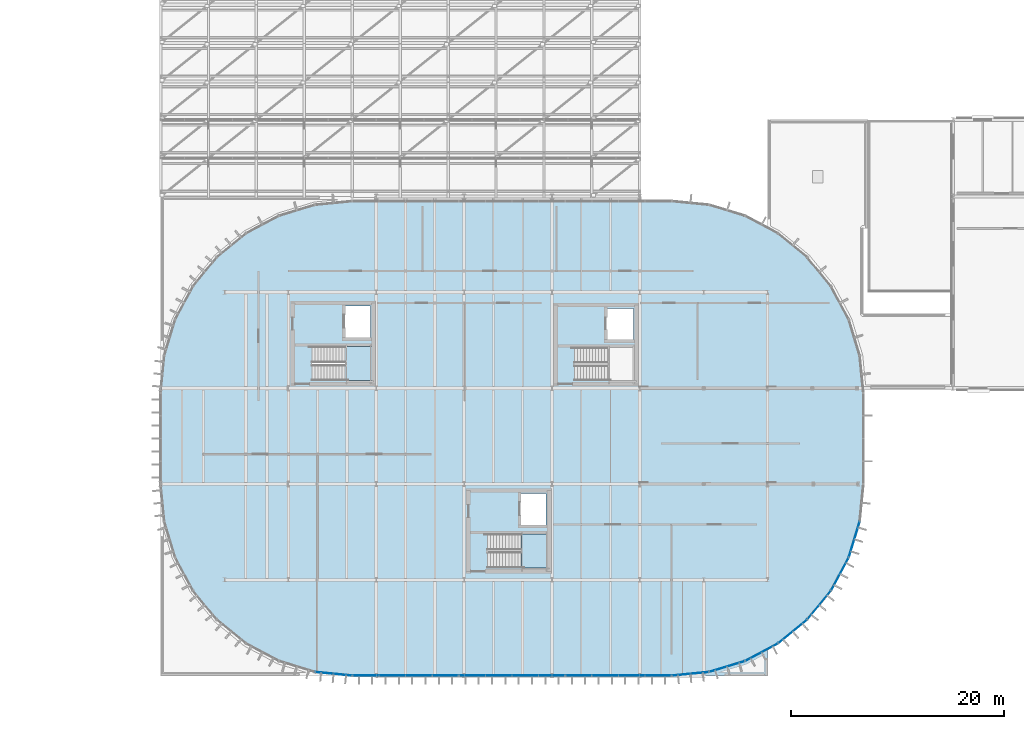
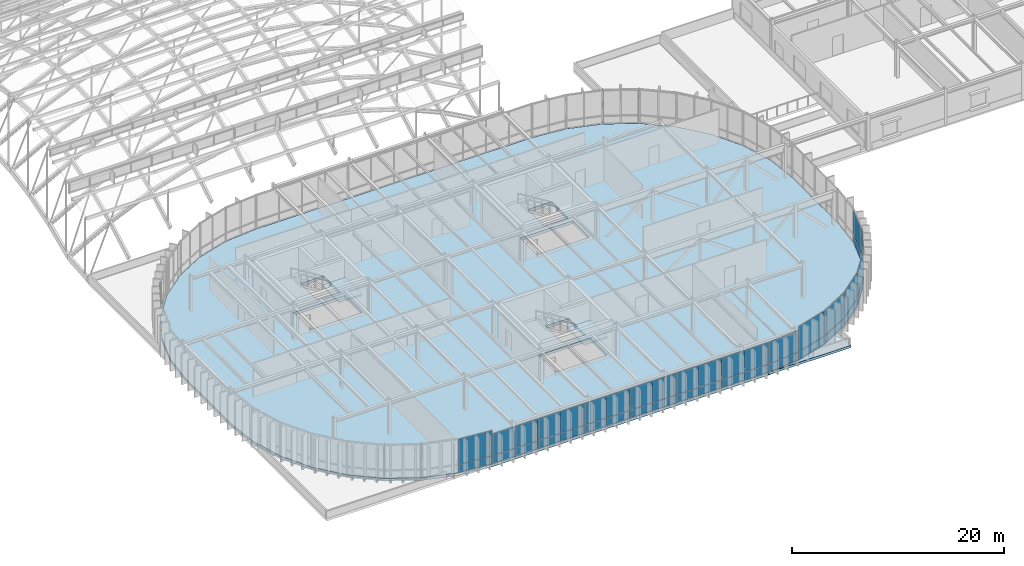
# One storey, part 43 of 69: 40 plates, 4 slabs, 6 openings, 14 elements without a shape of their own.
"""IFC4 building model written with IfcOpenShell, lengths in metres."""

from ifc_helpers import new_model, si_unit, direction, frame, origin, origin_2d, place, context, subcontext, project, spatial, polyline, rectangle, outline, extrude, material, layer, layer_set, type_object, element, aggregate, save


model = new_model("IFC4")

# Units and contexts
model_context = context("Model", 3, precision=1e-05, world=origin(), true_north=direction((0.0, 1.0)))
body_context = subcontext(model_context, "Body", "Model", "MODEL_VIEW")
ifc_project = project(units=[si_unit("LENGTHUNIT", "METRE"), si_unit("AREAUNIT", "SQUARE_METRE"), si_unit("VOLUMEUNIT", "CUBIC_METRE"), si_unit("PLANEANGLEUNIT", "RADIAN"), si_unit("MASSUNIT", "GRAM", prefix="KILO")], contexts=[model_context])

# Site, building, storey
site_placement = place(None, origin())
site = spatial("IfcSite", under=ifc_project, at=site_placement, CompositionType="ELEMENT")
building_placement = place(site_placement, origin())
building = spatial("IfcBuilding", under=site, at=building_placement, Name="Montealbar Specialist Clinic", CompositionType="ELEMENT")
storey_placement = place(building_placement, frame((0.0, 0.0, 9.60009765625)))
storey = spatial("IfcBuildingStorey", under=building, at=storey_placement, Name="L02", CompositionType="ELEMENT", Elevation=9.60009765625)

# Curtain wall, plates
ifc_material_1 = material(Name="Low-E double glazing", Category="glass")
ifc_layer_1 = layer(ifc_material_1, 0.199951171875, Name="Low-E double glazing", Category="glass")
ifc_layer_set_1 = layer_set([ifc_layer_1], Name="Low-E double glazing")
curtain_wall_type_1 = type_object("IfcCurtainWallType", Name="CW-TYPE-12", PredefinedType="NOTDEFINED", material=ifc_layer_set_1)
curtain_wall_1_placement = place(storey_placement, origin())
curtain_wall_1 = element("IfcCurtainWall", 1, at=curtain_wall_1_placement, inside=storey, type_object=curtain_wall_type_1, Name="Unitised Curtain Wall CW-L02-1197-145-1186-111-96", PredefinedType="NOTDEFINED")
ifc_layer_2 = layer(ifc_material_1, 0.0380859375, Name="Low-E double glazing", Category="glass")
ifc_layer_set_2 = layer_set([ifc_layer_2], Name="Low-E double glazing")
plate_type = type_object("IfcPlateType", Name="CW-PNL-IGU38", PredefinedType="CURTAIN_PANEL", material=ifc_layer_set_2)
plate_1_placement = place(storey_placement, frame((119.14208984375, 12.800048828125, 0.06982421875), z_axis=(0.0, 0.0, 1.0), x_axis=(-0.290259134399, -0.956948083701, 0.0)))
plate_1 = element("IfcPlate", 2, at=plate_1_placement, type_object=plate_type, Name="Glazed Curtain Panel CW-L02-1197-145-1186-111-96-1-1", PredefinedType="CURTAIN_PANEL", context=body_context, shape_type="SweptSolid", body=[
    extrude(rectangle(XDim=3.444091796875, YDim=0.0380859375, at=origin_2d()), origin(), (0.0, 0.0, 1.0), 0.85009765625),
])
plate_2_placement = place(storey_placement, frame((119.14208984375, 12.800048828125, 0.97998046875), z_axis=(0.0, 0.0, 1.0), x_axis=(-0.290259134399, -0.956948083701, 0.0)))
plate_2 = element("IfcPlate", 3, at=plate_2_placement, type_object=plate_type, Name="Glazed Curtain Panel CW-L02-1197-145-1186-111-96-1-2", PredefinedType="CURTAIN_PANEL", context=body_context, shape_type="SweptSolid", body=[
    extrude(rectangle(XDim=3.444091796875, YDim=0.0380859375, at=origin_2d()), origin(), (0.0, 0.0, 1.0), 2.8798828125),
])
aggregate(curtain_wall_1, [plate_1, plate_2])

curtain_wall_2_placement = place(storey_placement, origin())
curtain_wall_2 = element("IfcCurtainWall", 4, at=curtain_wall_2_placement, inside=storey, type_object=curtain_wall_type_1, Name="Unitised Curtain Wall CW-L02-1186-111-1170-80-96", PredefinedType="NOTDEFINED")
plate_3_placement = place(storey_placement, frame((117.798095703125, 9.555908203125, 0.06982421875), z_axis=(0.0, 0.0, 1.0), x_axis=(-0.471529268958, -0.881850411644, 0.0)))
plate_3 = element("IfcPlate", 5, at=plate_3_placement, type_object=plate_type, Name="Glazed Curtain Panel CW-L02-1186-111-1170-80-96-1-1", PredefinedType="CURTAIN_PANEL", context=body_context, shape_type="SweptSolid", body=[
    extrude(rectangle(XDim=3.445068359375, YDim=0.0380859375, at=origin_2d()), origin(), (0.0, 0.0, 1.0), 0.85009765625),
])
plate_4_placement = place(storey_placement, frame((117.798095703125, 9.555908203125, 0.97998046875), z_axis=(0.0, 0.0, 1.0), x_axis=(-0.471529268958, -0.881850411644, 0.0)))
plate_4 = element("IfcPlate", 6, at=plate_4_placement, type_object=plate_type, Name="Glazed Curtain Panel CW-L02-1186-111-1170-80-96-1-2", PredefinedType="CURTAIN_PANEL", context=body_context, shape_type="SweptSolid", body=[
    extrude(rectangle(XDim=3.445068359375, YDim=0.0380859375, at=origin_2d()), origin(), (0.0, 0.0, 1.0), 2.8798828125),
])
aggregate(curtain_wall_2, [plate_3, plate_4])

curtain_wall_3_placement = place(storey_placement, origin())
curtain_wall_3 = element("IfcCurtainWall", 7, at=curtain_wall_3_placement, inside=storey, type_object=curtain_wall_type_1, Name="Unitised Curtain Wall CW-L02-1170-80-1147-53-96", PredefinedType="NOTDEFINED")
plate_5_placement = place(storey_placement, frame((115.846923828125, 6.635986328125, 0.06982421875), z_axis=(0.0, 0.0, 1.0), x_axis=(-0.634255808922, -0.773123255923, 0.0)))
plate_5 = element("IfcPlate", 8, at=plate_5_placement, type_object=plate_type, Name="Glazed Curtain Panel CW-L02-1170-80-1147-53-96-1-1", PredefinedType="CURTAIN_PANEL", context=body_context, shape_type="SweptSolid", body=[
    extrude(rectangle(XDim=3.445068359375, YDim=0.0380859375, at=origin_2d()), origin(), (0.0, 0.0, 1.0), 0.85009765625),
])
plate_6_placement = place(storey_placement, frame((115.846923828125, 6.635986328125, 0.97998046875), z_axis=(0.0, 0.0, 1.0), x_axis=(-0.634255808922, -0.773123255923, 0.0)))
plate_6 = element("IfcPlate", 9, at=plate_6_placement, type_object=plate_type, Name="Glazed Curtain Panel CW-L02-1170-80-1147-53-96-1-2", PredefinedType="CURTAIN_PANEL", context=body_context, shape_type="SweptSolid", body=[
    extrude(rectangle(XDim=3.445068359375, YDim=0.0380859375, at=origin_2d()), origin(), (0.0, 0.0, 1.0), 2.8798828125),
])
aggregate(curtain_wall_3, [plate_5, plate_6])

curtain_wall_4_placement = place(storey_placement, origin())
curtain_wall_4 = element("IfcCurtainWall", 10, at=curtain_wall_4_placement, inside=storey, type_object=curtain_wall_type_1, Name="Unitised Curtain Wall CW-L02-1147-53-1120-30-96", PredefinedType="NOTDEFINED")
plate_7_placement = place(storey_placement, frame((113.364013671875, 4.153076171875, 0.06982421875), z_axis=(0.0, 0.0, 1.0), x_axis=(-0.773123255923, -0.634255808922, 0.0)))
plate_7 = element("IfcPlate", 11, at=plate_7_placement, type_object=plate_type, Name="Glazed Curtain Panel CW-L02-1147-53-1120-30-96-1-1", PredefinedType="CURTAIN_PANEL", context=body_context, shape_type="SweptSolid", body=[
    extrude(rectangle(XDim=3.445068359375, YDim=0.0380859375, at=origin_2d()), origin(), (0.0, 0.0, 1.0), 0.85009765625),
])
plate_8_placement = place(storey_placement, frame((113.364013671875, 4.153076171875, 0.97998046875), z_axis=(0.0, 0.0, 1.0), x_axis=(-0.773123255923, -0.634255808922, 0.0)))
plate_8 = element("IfcPlate", 12, at=plate_8_placement, type_object=plate_type, Name="Glazed Curtain Panel CW-L02-1147-53-1120-30-96-1-2", PredefinedType="CURTAIN_PANEL", context=body_context, shape_type="SweptSolid", body=[
    extrude(rectangle(XDim=3.445068359375, YDim=0.0380859375, at=origin_2d()), origin(), (0.0, 0.0, 1.0), 2.8798828125),
])
aggregate(curtain_wall_4, [plate_7, plate_8])

curtain_wall_5_placement = place(storey_placement, origin())
curtain_wall_5 = element("IfcCurtainWall", 13, at=curtain_wall_5_placement, inside=storey, type_object=curtain_wall_type_1, Name="Unitised Curtain Wall CW-L02-1120-30-1089-14-96", PredefinedType="NOTDEFINED")
plate_9_placement = place(storey_placement, frame((110.444091796875, 2.201904296875, 0.06982421875), z_axis=(0.0, 0.0, 1.0), x_axis=(-0.881850411644, -0.471529268958, 0.0)))
plate_9 = element("IfcPlate", 14, at=plate_9_placement, type_object=plate_type, Name="Glazed Curtain Panel CW-L02-1120-30-1089-14-96-1-1", PredefinedType="CURTAIN_PANEL", context=body_context, shape_type="SweptSolid", body=[
    extrude(rectangle(XDim=3.445068359375, YDim=0.0380859375, at=origin_2d()), origin(), (0.0, 0.0, 1.0), 0.85009765625),
])
plate_10_placement = place(storey_placement, frame((110.444091796875, 2.201904296875, 0.97998046875), z_axis=(0.0, 0.0, 1.0), x_axis=(-0.881850411644, -0.471529268958, 0.0)))
plate_10 = element("IfcPlate", 15, at=plate_10_placement, type_object=plate_type, Name="Glazed Curtain Panel CW-L02-1120-30-1089-14-96-1-2", PredefinedType="CURTAIN_PANEL", context=body_context, shape_type="SweptSolid", body=[
    extrude(rectangle(XDim=3.445068359375, YDim=0.0380859375, at=origin_2d()), origin(), (0.0, 0.0, 1.0), 2.8798828125),
])
aggregate(curtain_wall_5, [plate_9, plate_10])

curtain_wall_6_placement = place(storey_placement, origin())
curtain_wall_6 = element("IfcCurtainWall", 16, at=curtain_wall_6_placement, inside=storey, type_object=curtain_wall_type_1, Name="Unitised Curtain Wall CW-L02-1089-14-1055-3-96", PredefinedType="NOTDEFINED")
plate_11_placement = place(storey_placement, frame((107.199951171875, 0.85791015625, 0.06982421875), z_axis=(0.0, 0.0, 1.0), x_axis=(-0.956948083701, -0.290259134399, 0.0)))
plate_11 = element("IfcPlate", 17, at=plate_11_placement, type_object=plate_type, Name="Glazed Curtain Panel CW-L02-1089-14-1055-3-96-1-1", PredefinedType="CURTAIN_PANEL", context=body_context, shape_type="SweptSolid", body=[
    extrude(rectangle(XDim=3.444091796875, YDim=0.0380859375, at=origin_2d()), origin(), (0.0, 0.0, 1.0), 0.85009765625),
])
plate_12_placement = place(storey_placement, frame((107.199951171875, 0.85791015625, 0.97998046875), z_axis=(0.0, 0.0, 1.0), x_axis=(-0.956948083701, -0.290259134399, 0.0)))
plate_12 = element("IfcPlate", 18, at=plate_12_placement, type_object=plate_type, Name="Glazed Curtain Panel CW-L02-1089-14-1055-3-96-1-2", PredefinedType="CURTAIN_PANEL", context=body_context, shape_type="SweptSolid", body=[
    extrude(rectangle(XDim=3.444091796875, YDim=0.0380859375, at=origin_2d()), origin(), (0.0, 0.0, 1.0), 2.8798828125),
])
aggregate(curtain_wall_6, [plate_11, plate_12])

ifc_layer_3 = layer(ifc_material_1, 0.199951171875, Name="Low-E double glazing", Category="glass")
ifc_layer_set_3 = layer_set([ifc_layer_3], Name="Low-E double glazing")
curtain_wall_type_2 = type_object("IfcCurtainWallType", Name="CW-TYPE-15", PredefinedType="NOTDEFINED", material=ifc_layer_set_3)
curtain_wall_7_placement = place(storey_placement, origin())
curtain_wall_7 = element("IfcCurtainWall", 19, at=curtain_wall_7_placement, inside=storey, type_object=curtain_wall_type_2, Name="Unitised Curtain Wall CW-L02-1055-3-1020-0-96", PredefinedType="NOTDEFINED")
plate_13_placement = place(storey_placement, frame((103.756103515625, 0.173095703125, 0.06982421875), z_axis=(0.0, 0.0, 1.0), x_axis=(-0.995182012183, -0.098044697094, 0.0)))
plate_13 = element("IfcPlate", 20, at=plate_13_placement, type_object=plate_type, Name="Glazed Curtain Panel CW-L02-1055-3-1020-0-96-1-1", PredefinedType="CURTAIN_PANEL", context=body_context, shape_type="SweptSolid", body=[
    extrude(rectangle(XDim=3.445068359375, YDim=0.0380859375, at=origin_2d()), origin(), (0.0, 0.0, 1.0), 0.85009765625),
])
plate_14_placement = place(storey_placement, frame((103.756103515625, 0.173095703125, 0.97998046875), z_axis=(0.0, 0.0, 1.0), x_axis=(-0.995182012183, -0.098044697094, 0.0)))
plate_14 = element("IfcPlate", 21, at=plate_14_placement, type_object=plate_type, Name="Glazed Curtain Panel CW-L02-1055-3-1020-0-96-1-2", PredefinedType="CURTAIN_PANEL", context=body_context, shape_type="SweptSolid", body=[
    extrude(rectangle(XDim=3.445068359375, YDim=0.0380859375, at=origin_2d()), origin(), (0.0, 0.0, 1.0), 2.47998046875),
])
aggregate(curtain_wall_7, [plate_13, plate_14])

ifc_layer_4 = layer(ifc_material_1, 0.199951171875, Name="Low-E double glazing", Category="glass")
ifc_layer_set_4 = layer_set([ifc_layer_4], Name="Low-E double glazing")
curtain_wall_type_3 = type_object("IfcCurtainWallType", Name="CW-TYPE-16", PredefinedType="NOTDEFINED", material=ifc_layer_set_4)
curtain_wall_8_placement = place(storey_placement, origin())
curtain_wall_8 = element("IfcCurtainWall", 22, at=curtain_wall_8_placement, inside=storey, type_object=curtain_wall_type_3, Name="Unitised Curtain Wall CW-L02-1020-0-920-0-96", PredefinedType="NOTDEFINED")
plate_15_placement = place(storey_placement, frame((100.75, 0.0, 0.06982421875), z_axis=(0.0, 0.0, 1.0), x_axis=(-1.0, 0.0, 0.0)))
plate_15 = element("IfcPlate", 23, at=plate_15_placement, type_object=plate_type, Name="Glazed Curtain Panel CW-L02-1020-0-920-0-96-1-1", PredefinedType="CURTAIN_PANEL", context=body_context, shape_type="SweptSolid", body=[
    extrude(rectangle(XDim=2.416015625, YDim=0.0380859375, at=origin_2d()), origin(), (0.0, 0.0, 1.0), 0.85009765625),
])
plate_16_placement = place(storey_placement, frame((100.75, 0.0, 0.97998046875), z_axis=(0.0, 0.0, 1.0), x_axis=(-1.0, 0.0, 0.0)))
plate_16 = element("IfcPlate", 24, at=plate_16_placement, type_object=plate_type, Name="Glazed Curtain Panel CW-L02-1020-0-920-0-96-1-2", PredefinedType="CURTAIN_PANEL", context=body_context, shape_type="SweptSolid", body=[
    extrude(rectangle(XDim=2.416015625, YDim=0.0380859375, at=origin_2d()), origin(), (0.0, 0.0, 1.0), 2.47998046875),
])
plate_17_placement = place(storey_placement, frame((98.25, 0.0, 0.06982421875), z_axis=(0.0, 0.0, 1.0), x_axis=(-1.0, 0.0, 0.0)))
plate_17 = element("IfcPlate", 25, at=plate_17_placement, type_object=plate_type, Name="Glazed Curtain Panel CW-L02-1020-0-920-0-96-2-1", PredefinedType="CURTAIN_PANEL", context=body_context, shape_type="SweptSolid", body=[
    extrude(rectangle(XDim=2.416015625, YDim=0.0380859375, at=origin_2d()), origin(), (0.0, 0.0, 1.0), 0.85009765625),
])
plate_18_placement = place(storey_placement, frame((98.25, 0.0, 0.97998046875), z_axis=(0.0, 0.0, 1.0), x_axis=(-1.0, 0.0, 0.0)))
plate_18 = element("IfcPlate", 26, at=plate_18_placement, type_object=plate_type, Name="Glazed Curtain Panel CW-L02-1020-0-920-0-96-2-2", PredefinedType="CURTAIN_PANEL", context=body_context, shape_type="SweptSolid", body=[
    extrude(rectangle(XDim=2.416015625, YDim=0.0380859375, at=origin_2d()), origin(), (0.0, 0.0, 1.0), 2.47998046875),
])
plate_19_placement = place(storey_placement, frame((95.75, 0.0, 0.06982421875), z_axis=(0.0, 0.0, 1.0), x_axis=(-1.0, 0.0, 0.0)))
plate_19 = element("IfcPlate", 27, at=plate_19_placement, type_object=plate_type, Name="Glazed Curtain Panel CW-L02-1020-0-920-0-96-3-1", PredefinedType="CURTAIN_PANEL", context=body_context, shape_type="SweptSolid", body=[
    extrude(rectangle(XDim=2.416015625, YDim=0.0380859375, at=origin_2d()), origin(), (0.0, 0.0, 1.0), 0.85009765625),
])
plate_20_placement = place(storey_placement, frame((95.75, 0.0, 0.97998046875), z_axis=(0.0, 0.0, 1.0), x_axis=(-1.0, 0.0, 0.0)))
plate_20 = element("IfcPlate", 28, at=plate_20_placement, type_object=plate_type, Name="Glazed Curtain Panel CW-L02-1020-0-920-0-96-3-2", PredefinedType="CURTAIN_PANEL", context=body_context, shape_type="SweptSolid", body=[
    extrude(rectangle(XDim=2.416015625, YDim=0.0380859375, at=origin_2d()), origin(), (0.0, 0.0, 1.0), 2.47998046875),
])
plate_21_placement = place(storey_placement, frame((93.25, 0.0, 0.06982421875), z_axis=(0.0, 0.0, 1.0), x_axis=(-1.0, 0.0, 0.0)))
plate_21 = element("IfcPlate", 29, at=plate_21_placement, type_object=plate_type, Name="Glazed Curtain Panel CW-L02-1020-0-920-0-96-4-1", PredefinedType="CURTAIN_PANEL", context=body_context, shape_type="SweptSolid", body=[
    extrude(rectangle(XDim=2.416015625, YDim=0.0380859375, at=origin_2d()), origin(), (0.0, 0.0, 1.0), 0.85009765625),
])
plate_22_placement = place(storey_placement, frame((93.25, 0.0, 0.97998046875), z_axis=(0.0, 0.0, 1.0), x_axis=(-1.0, 0.0, 0.0)))
plate_22 = element("IfcPlate", 30, at=plate_22_placement, type_object=plate_type, Name="Glazed Curtain Panel CW-L02-1020-0-920-0-96-4-2", PredefinedType="CURTAIN_PANEL", context=body_context, shape_type="SweptSolid", body=[
    extrude(rectangle(XDim=2.416015625, YDim=0.0380859375, at=origin_2d()), origin(), (0.0, 0.0, 1.0), 2.47998046875),
])
aggregate(curtain_wall_8, [plate_15, plate_16, plate_17, plate_18, plate_19, plate_20, plate_21, plate_22])

curtain_wall_9_placement = place(storey_placement, origin())
curtain_wall_9 = element("IfcCurtainWall", 31, at=curtain_wall_9_placement, inside=storey, type_object=curtain_wall_type_3, Name="Unitised Curtain Wall CW-L02-920-0-820-0-96", PredefinedType="NOTDEFINED")
plate_23_placement = place(storey_placement, frame((90.75, 0.0, 0.06982421875), z_axis=(0.0, 0.0, 1.0), x_axis=(-1.0, 0.0, 0.0)))
plate_23 = element("IfcPlate", 32, at=plate_23_placement, type_object=plate_type, Name="Glazed Curtain Panel CW-L02-920-0-820-0-96-1-1", PredefinedType="CURTAIN_PANEL", context=body_context, shape_type="SweptSolid", body=[
    extrude(rectangle(XDim=2.416015625, YDim=0.0380859375, at=origin_2d()), origin(), (0.0, 0.0, 1.0), 0.85009765625),
])
plate_24_placement = place(storey_placement, frame((90.75, 0.0, 0.97998046875), z_axis=(0.0, 0.0, 1.0), x_axis=(-1.0, 0.0, 0.0)))
plate_24 = element("IfcPlate", 33, at=plate_24_placement, type_object=plate_type, Name="Glazed Curtain Panel CW-L02-920-0-820-0-96-1-2", PredefinedType="CURTAIN_PANEL", context=body_context, shape_type="SweptSolid", body=[
    extrude(rectangle(XDim=2.416015625, YDim=0.0380859375, at=origin_2d()), origin(), (0.0, 0.0, 1.0), 2.47998046875),
])
plate_25_placement = place(storey_placement, frame((88.25, 0.0, 0.06982421875), z_axis=(0.0, 0.0, 1.0), x_axis=(-1.0, 0.0, 0.0)))
plate_25 = element("IfcPlate", 34, at=plate_25_placement, type_object=plate_type, Name="Glazed Curtain Panel CW-L02-920-0-820-0-96-2-1", PredefinedType="CURTAIN_PANEL", context=body_context, shape_type="SweptSolid", body=[
    extrude(rectangle(XDim=2.416015625, YDim=0.0380859375, at=origin_2d()), origin(), (0.0, 0.0, 1.0), 0.85009765625),
])
plate_26_placement = place(storey_placement, frame((88.25, 0.0, 0.97998046875), z_axis=(0.0, 0.0, 1.0), x_axis=(-1.0, 0.0, 0.0)))
plate_26 = element("IfcPlate", 35, at=plate_26_placement, type_object=plate_type, Name="Glazed Curtain Panel CW-L02-920-0-820-0-96-2-2", PredefinedType="CURTAIN_PANEL", context=body_context, shape_type="SweptSolid", body=[
    extrude(rectangle(XDim=2.416015625, YDim=0.0380859375, at=origin_2d()), origin(), (0.0, 0.0, 1.0), 2.47998046875),
])
plate_27_placement = place(storey_placement, frame((85.75, 0.0, 0.06982421875), z_axis=(0.0, 0.0, 1.0), x_axis=(-1.0, 0.0, 0.0)))
plate_27 = element("IfcPlate", 36, at=plate_27_placement, type_object=plate_type, Name="Glazed Curtain Panel CW-L02-920-0-820-0-96-3-1", PredefinedType="CURTAIN_PANEL", context=body_context, shape_type="SweptSolid", body=[
    extrude(rectangle(XDim=2.416015625, YDim=0.0380859375, at=origin_2d()), origin(), (0.0, 0.0, 1.0), 0.85009765625),
])
plate_28_placement = place(storey_placement, frame((85.75, 0.0, 0.97998046875), z_axis=(0.0, 0.0, 1.0), x_axis=(-1.0, 0.0, 0.0)))
plate_28 = element("IfcPlate", 37, at=plate_28_placement, type_object=plate_type, Name="Glazed Curtain Panel CW-L02-920-0-820-0-96-3-2", PredefinedType="CURTAIN_PANEL", context=body_context, shape_type="SweptSolid", body=[
    extrude(rectangle(XDim=2.416015625, YDim=0.0380859375, at=origin_2d()), origin(), (0.0, 0.0, 1.0), 2.47998046875),
])
plate_29_placement = place(storey_placement, frame((83.25, 0.0, 0.06982421875), z_axis=(0.0, 0.0, 1.0), x_axis=(-1.0, 0.0, 0.0)))
plate_29 = element("IfcPlate", 38, at=plate_29_placement, type_object=plate_type, Name="Glazed Curtain Panel CW-L02-920-0-820-0-96-4-1", PredefinedType="CURTAIN_PANEL", context=body_context, shape_type="SweptSolid", body=[
    extrude(rectangle(XDim=2.416015625, YDim=0.0380859375, at=origin_2d()), origin(), (0.0, 0.0, 1.0), 0.85009765625),
])
plate_30_placement = place(storey_placement, frame((83.25, 0.0, 0.97998046875), z_axis=(0.0, 0.0, 1.0), x_axis=(-1.0, 0.0, 0.0)))
plate_30 = element("IfcPlate", 39, at=plate_30_placement, type_object=plate_type, Name="Glazed Curtain Panel CW-L02-920-0-820-0-96-4-2", PredefinedType="CURTAIN_PANEL", context=body_context, shape_type="SweptSolid", body=[
    extrude(rectangle(XDim=2.416015625, YDim=0.0380859375, at=origin_2d()), origin(), (0.0, 0.0, 1.0), 2.47998046875),
])
aggregate(curtain_wall_9, [plate_23, plate_24, plate_25, plate_26, plate_27, plate_28, plate_29, plate_30])

curtain_wall_10_placement = place(storey_placement, origin())
curtain_wall_10 = element("IfcCurtainWall", 40, at=curtain_wall_10_placement, inside=storey, type_object=curtain_wall_type_3, Name="Unitised Curtain Wall CW-L02-820-0-720-0-96", PredefinedType="NOTDEFINED")
plate_31_placement = place(storey_placement, frame((80.75, 0.0, 0.06982421875), z_axis=(0.0, 0.0, 1.0), x_axis=(-1.0, 0.0, 0.0)))
plate_31 = element("IfcPlate", 41, at=plate_31_placement, type_object=plate_type, Name="Glazed Curtain Panel CW-L02-820-0-720-0-96-1-1", PredefinedType="CURTAIN_PANEL", context=body_context, shape_type="SweptSolid", body=[
    extrude(rectangle(XDim=2.416015625, YDim=0.0380859375, at=origin_2d()), origin(), (0.0, 0.0, 1.0), 0.85009765625),
])
plate_32_placement = place(storey_placement, frame((80.75, 0.0, 0.97998046875), z_axis=(0.0, 0.0, 1.0), x_axis=(-1.0, 0.0, 0.0)))
plate_32 = element("IfcPlate", 42, at=plate_32_placement, type_object=plate_type, Name="Glazed Curtain Panel CW-L02-820-0-720-0-96-1-2", PredefinedType="CURTAIN_PANEL", context=body_context, shape_type="SweptSolid", body=[
    extrude(rectangle(XDim=2.416015625, YDim=0.0380859375, at=origin_2d()), origin(), (0.0, 0.0, 1.0), 2.47998046875),
])
plate_33_placement = place(storey_placement, frame((78.25, 0.0, 0.06982421875), z_axis=(0.0, 0.0, 1.0), x_axis=(-1.0, 0.0, 0.0)))
plate_33 = element("IfcPlate", 43, at=plate_33_placement, type_object=plate_type, Name="Glazed Curtain Panel CW-L02-820-0-720-0-96-2-1", PredefinedType="CURTAIN_PANEL", context=body_context, shape_type="SweptSolid", body=[
    extrude(rectangle(XDim=2.416015625, YDim=0.0380859375, at=origin_2d()), origin(), (0.0, 0.0, 1.0), 0.85009765625),
])
plate_34_placement = place(storey_placement, frame((78.25, 0.0, 0.97998046875), z_axis=(0.0, 0.0, 1.0), x_axis=(-1.0, 0.0, 0.0)))
plate_34 = element("IfcPlate", 44, at=plate_34_placement, type_object=plate_type, Name="Glazed Curtain Panel CW-L02-820-0-720-0-96-2-2", PredefinedType="CURTAIN_PANEL", context=body_context, shape_type="SweptSolid", body=[
    extrude(rectangle(XDim=2.416015625, YDim=0.0380859375, at=origin_2d()), origin(), (0.0, 0.0, 1.0), 2.47998046875),
])
plate_35_placement = place(storey_placement, frame((75.75, 0.0, 0.06982421875), z_axis=(0.0, 0.0, 1.0), x_axis=(-1.0, 0.0, 0.0)))
plate_35 = element("IfcPlate", 45, at=plate_35_placement, type_object=plate_type, Name="Glazed Curtain Panel CW-L02-820-0-720-0-96-3-1", PredefinedType="CURTAIN_PANEL", context=body_context, shape_type="SweptSolid", body=[
    extrude(rectangle(XDim=2.416015625, YDim=0.0380859375, at=origin_2d()), origin(), (0.0, 0.0, 1.0), 0.85009765625),
])
plate_36_placement = place(storey_placement, frame((75.75, 0.0, 0.97998046875), z_axis=(0.0, 0.0, 1.0), x_axis=(-1.0, 0.0, 0.0)))
plate_36 = element("IfcPlate", 46, at=plate_36_placement, type_object=plate_type, Name="Glazed Curtain Panel CW-L02-820-0-720-0-96-3-2", PredefinedType="CURTAIN_PANEL", context=body_context, shape_type="SweptSolid", body=[
    extrude(rectangle(XDim=2.416015625, YDim=0.0380859375, at=origin_2d()), origin(), (0.0, 0.0, 1.0), 2.47998046875),
])
plate_37_placement = place(storey_placement, frame((73.25, 0.0, 0.06982421875), z_axis=(0.0, 0.0, 1.0), x_axis=(-1.0, 0.0, 0.0)))
plate_37 = element("IfcPlate", 47, at=plate_37_placement, type_object=plate_type, Name="Glazed Curtain Panel CW-L02-820-0-720-0-96-4-1", PredefinedType="CURTAIN_PANEL", context=body_context, shape_type="SweptSolid", body=[
    extrude(rectangle(XDim=2.416015625, YDim=0.0380859375, at=origin_2d()), origin(), (0.0, 0.0, 1.0), 0.85009765625),
])
plate_38_placement = place(storey_placement, frame((73.25, 0.0, 0.97998046875), z_axis=(0.0, 0.0, 1.0), x_axis=(-1.0, 0.0, 0.0)))
plate_38 = element("IfcPlate", 48, at=plate_38_placement, type_object=plate_type, Name="Glazed Curtain Panel CW-L02-820-0-720-0-96-4-2", PredefinedType="CURTAIN_PANEL", context=body_context, shape_type="SweptSolid", body=[
    extrude(rectangle(XDim=2.416015625, YDim=0.0380859375, at=origin_2d()), origin(), (0.0, 0.0, 1.0), 2.47998046875),
])
aggregate(curtain_wall_10, [plate_31, plate_32, plate_33, plate_34, plate_35, plate_36, plate_37, plate_38])

curtain_wall_11_placement = place(storey_placement, origin())
curtain_wall_11 = element("IfcCurtainWall", 49, at=curtain_wall_11_placement, inside=storey, type_object=curtain_wall_type_1, Name="Unitised Curtain Wall CW-L02-720-0-685-3-96", PredefinedType="NOTDEFINED")
plate_39_placement = place(storey_placement, frame((70.243896484375, 0.173095703125, 0.06982421875), z_axis=(0.0, 0.0, 1.0), x_axis=(-0.995182012183, 0.098044697094, 0.0)))
plate_39 = element("IfcPlate", 50, at=plate_39_placement, type_object=plate_type, Name="Glazed Curtain Panel CW-L02-720-0-685-3-96-1-1", PredefinedType="CURTAIN_PANEL", context=body_context, shape_type="SweptSolid", body=[
    extrude(rectangle(XDim=3.445068359375, YDim=0.0380859375, at=origin_2d()), origin(), (0.0, 0.0, 1.0), 0.85009765625),
])
plate_40_placement = place(storey_placement, frame((70.243896484375, 0.173095703125, 0.97998046875), z_axis=(0.0, 0.0, 1.0), x_axis=(-0.995182012183, 0.098044697094, 0.0)))
plate_40 = element("IfcPlate", 51, at=plate_40_placement, type_object=plate_type, Name="Glazed Curtain Panel CW-L02-720-0-685-3-96-1-2", PredefinedType="CURTAIN_PANEL", context=body_context, shape_type="SweptSolid", body=[
    extrude(rectangle(XDim=3.445068359375, YDim=0.0380859375, at=origin_2d()), origin(), (0.0, 0.0, 1.0), 2.8798828125),
])
aggregate(curtain_wall_11, [plate_39, plate_40])

# Slab, openings
ifc_material_2 = material(Name="Concrete C35/45", Category="concrete")
ifc_layer_5 = layer(ifc_material_2, 0.320068359375, Name="Concrete C35/45", Category="concrete")
ifc_layer_set_5 = layer_set([ifc_layer_5], Name="Concrete C35/45")
slab_type_1 = type_object("IfcSlabType", Name="SL-FLR-280", PredefinedType="FLOOR", material=ifc_layer_set_5)
slab_1_placement = place(storey_placement, frame((0.0, 0.0, -0.320068359375)))
slab_1 = element("IfcSlab", 52, at=slab_1_placement, inside=storey, type_object=slab_type_1, Name="Structural Slab L02 Wing 2", PredefinedType="FLOOR", context=body_context, shape_type="SweptSolid", body=[
    extrude(outline(polyline([(55.3701171875, 33.43798828125), (57.033935546875, 36.550048828125), (59.27197265625, 39.278076171875), (62.0, 41.51611328125), (65.112060546875, 43.179931640625), (68.488037109375, 44.2041015625), (72.0, 44.550048828125), (102.0, 44.550048828125), (105.511962890625, 44.2041015625), (108.887939453125, 43.179931640625), (112.0, 41.51611328125), (114.72802734375, 39.278076171875), (116.966064453125, 36.550048828125), (118.6298828125, 33.43798828125), (119.654052734375, 30.06201171875), (120.0, 26.550048828125), (120.0, 18.0), (119.654052734375, 14.488037109375), (118.6298828125, 11.112060546875), (116.966064453125, 8.0), (114.72802734375, 5.27197265625), (112.0, 3.033935546875), (108.887939453125, 1.3701171875), (105.511962890625, 0.345947265625), (102.0, 0.0), (72.0, 0.0), (68.488037109375, 0.345947265625), (65.112060546875, 1.3701171875), (62.0, 3.033935546875), (59.27197265625, 5.27197265625), (57.033935546875, 8.0), (55.3701171875, 11.112060546875), (54.345947265625, 14.488037109375), (54.0, 18.0), (54.0, 26.550048828125), (54.345947265625, 30.06201171875), (55.3701171875, 33.43798828125)]), holes=[polyline([(84.699951171875, 13.300048828125), (84.699951171875, 10.10009765625), (90.35009765625, 10.10009765625), (90.35009765625, 13.300048828125), (84.699951171875, 13.300048828125)]), polyline([(87.697998046875, 17.10205078125), (87.697998046875, 13.998046875), (90.201904296875, 13.998046875), (90.201904296875, 17.10205078125), (87.697998046875, 17.10205078125)]), polyline([(92.85009765625, 30.800048828125), (92.85009765625, 27.699951171875), (98.550048828125, 27.699951171875), (98.550048828125, 30.800048828125), (92.85009765625, 30.800048828125)]), polyline([(73.85009765625, 30.89990234375), (68.199951171875, 30.89990234375), (68.199951171875, 27.699951171875), (73.85009765625, 27.699951171875), (73.85009765625, 30.89990234375)]), polyline([(98.402099609375, 34.501953125), (95.798095703125, 34.501953125), (95.798095703125, 31.39794921875), (98.402099609375, 31.39794921875), (98.402099609375, 34.501953125)]), polyline([(71.197998046875, 34.701904296875), (71.197998046875, 31.597900390625), (73.701904296875, 31.597900390625), (73.701904296875, 34.701904296875), (71.197998046875, 34.701904296875)])]), origin(), (0.0, 0.0, 1.0), 0.320068359375),
])
opening_1_placement = place(slab_1_placement, frame((71.02490234375, 29.2998046875, -0.010009765625)))
element("IfcOpeningElement", 53, at=opening_1_placement, cuts=slab_1, Name="Opening STAIRVOID-C3-L02-1", PredefinedType="OPENING", context=body_context, shape_type="SweptSolid", body=[
    extrude(rectangle(XDim=5.646240234375, YDim=3.196044921875, at=origin_2d()), origin(), (0.0, 0.0, 1.0), 0.340087890625),
])
opening_2_placement = place(slab_1_placement, frame((72.449951171875, 33.14990234375, -0.010009765625)))
element("IfcOpeningElement", 54, at=opening_2_placement, cuts=slab_1, Name="Opening LIFTSHAFT-FL-01-L02", PredefinedType="OPENING", context=body_context, shape_type="SweptSolid", body=[
    extrude(rectangle(XDim=2.5, YDim=3.10009765625, at=origin_2d()), origin(), (0.0, 0.0, 1.0), 0.340087890625),
])
opening_3_placement = place(slab_1_placement, frame((87.52490234375, 11.7001953125, -0.010009765625)))
element("IfcOpeningElement", 55, at=opening_3_placement, cuts=slab_1, Name="Opening STAIRVOID-C4-L02-1", PredefinedType="OPENING", context=body_context, shape_type="SweptSolid", body=[
    extrude(rectangle(XDim=5.646240234375, YDim=3.196044921875, at=origin_2d()), origin(), (0.0, 0.0, 1.0), 0.340087890625),
])
opening_4_placement = place(slab_1_placement, frame((88.949951171875, 15.550048828125, -0.010009765625)))
element("IfcOpeningElement", 56, at=opening_4_placement, cuts=slab_1, Name="Opening LIFTSHAFT-FL-02-L02", PredefinedType="OPENING", context=body_context, shape_type="SweptSolid", body=[
    extrude(rectangle(XDim=2.5, YDim=3.10009765625, at=origin_2d()), origin(), (0.0, 0.0, 1.0), 0.340087890625),
])
opening_5_placement = place(slab_1_placement, frame((95.7001953125, 29.25, -0.010009765625)))
element("IfcOpeningElement", 57, at=opening_5_placement, cuts=slab_1, Name="Opening STAIRVOID-C5-L02-1", PredefinedType="OPENING", context=body_context, shape_type="SweptSolid", body=[
    extrude(rectangle(XDim=5.696044921875, YDim=3.09619140625, at=origin_2d()), origin(), (0.0, 0.0, 1.0), 0.340087890625),
])
opening_6_placement = place(slab_1_placement, frame((97.10009765625, 32.949951171875, -0.010009765625)))
element("IfcOpeningElement", 58, at=opening_6_placement, cuts=slab_1, Name="Opening LIFTSHAFT-LF-03-L02", PredefinedType="OPENING", context=body_context, shape_type="SweptSolid", body=[
    extrude(rectangle(XDim=2.60009765625, YDim=3.10009765625, at=origin_2d()), origin(), (0.0, 0.0, 1.0), 0.340087890625),
])

# Roof, slab
ifc_material_3 = material(Name="Weatherproof roofing membrane", Category="concrete")
roof_type = type_object("IfcRoofType", Name="ROOF-CONT-FLAT", PredefinedType="FLAT_ROOF", material=ifc_material_3)
roof_placement = place(storey_placement, origin())
roof = element("IfcRoof", 59, at=roof_placement, inside=storey, type_object=roof_type, Name="Flat Roof Assembly ROOF-L02-04", PredefinedType="FLAT_ROOF")
ifc_layer_6 = layer(ifc_material_2, 0.27001953125, Name="Concrete C35/45", Category="concrete")
ifc_layer_set_6 = layer_set([ifc_layer_6], Name="Concrete C35/45")
slab_type_2 = type_object("IfcSlabType", Name="SL-ROOF-220", PredefinedType="ROOF", material=ifc_layer_set_6)
slab_2_placement = place(storey_placement, frame((0.0, 0.0, -0.27001953125)))
slab_2 = element("IfcSlab", 60, at=slab_2_placement, type_object=slab_type_2, Name="Roof Slab ROOF-L02-04", PredefinedType="ROOF", context=body_context, shape_type="SweptSolid", body=[
    extrude(outline(polyline([(105.511962890625, 0.345947265625), (108.887939453125, 1.3701171875), (111.0, 2.4990234375), (111.0, 0.0), (102.031005859375, 0.0), (105.511962890625, 0.345947265625)])), origin(), (0.0, 0.0, 1.0), 0.27001953125),
])
aggregate(roof, [slab_2])

# Stair, slab
stair_type = type_object("IfcStairType", Name="STAIR-HT-07", PredefinedType="HALF_TURN_STAIR", material=ifc_material_2)
stair_1_placement = place(storey_placement, origin())
stair_1 = element("IfcStair", 61, at=stair_1_placement, inside=storey, type_object=stair_type, Name="L02 Protected Exit Stair Core C3", PredefinedType="HALF_TURN_STAIR")
ifc_layer_7 = layer(ifc_material_2, 0.199951171875, Name="Concrete C35/45", Category="concrete")
ifc_layer_set_7 = layer_set([ifc_layer_7], Name="Concrete C35/45")
slab_type_3 = type_object("IfcSlabType", Name="SL-STAIR-LAND-200", PredefinedType="LANDING", material=ifc_layer_set_7)
slab_3_placement = place(storey_placement, frame((0.0, 0.0, 1.89990234375)))
slab_3 = element("IfcSlab", 62, at=slab_3_placement, type_object=slab_type_3, Name="ST-03 landing 1", PredefinedType="LANDING", context=body_context, shape_type="SweptSolid", body=[
    extrude(outline(polyline([(71.3349609375, 27.699951171875), (73.85009765625, 27.699951171875), (73.85009765625, 30.89990234375), (71.3349609375, 30.89990234375), (71.3349609375, 27.699951171875)])), origin(), (0.0, 0.0, 1.0), 0.199951171875),
])
aggregate(stair_1, [slab_3])

stair_2_placement = place(storey_placement, origin())
stair_2 = element("IfcStair", 63, at=stair_2_placement, inside=storey, type_object=stair_type, Name="L02 Protected Exit Stair Core C4", PredefinedType="HALF_TURN_STAIR")
slab_4_placement = place(storey_placement, frame((0.0, 0.0, 1.89990234375)))
slab_4 = element("IfcSlab", 64, at=slab_4_placement, type_object=slab_type_3, Name="ST-04 landing 1", PredefinedType="LANDING", context=body_context, shape_type="SweptSolid", body=[
    extrude(outline(polyline([(87.8349609375, 10.10009765625), (90.35009765625, 10.10009765625), (90.35009765625, 13.300048828125), (87.8349609375, 13.300048828125), (87.8349609375, 10.10009765625)])), origin(), (0.0, 0.0, 1.0), 0.199951171875),
])
aggregate(stair_2, [slab_4])

save(model, "model.ifc")
